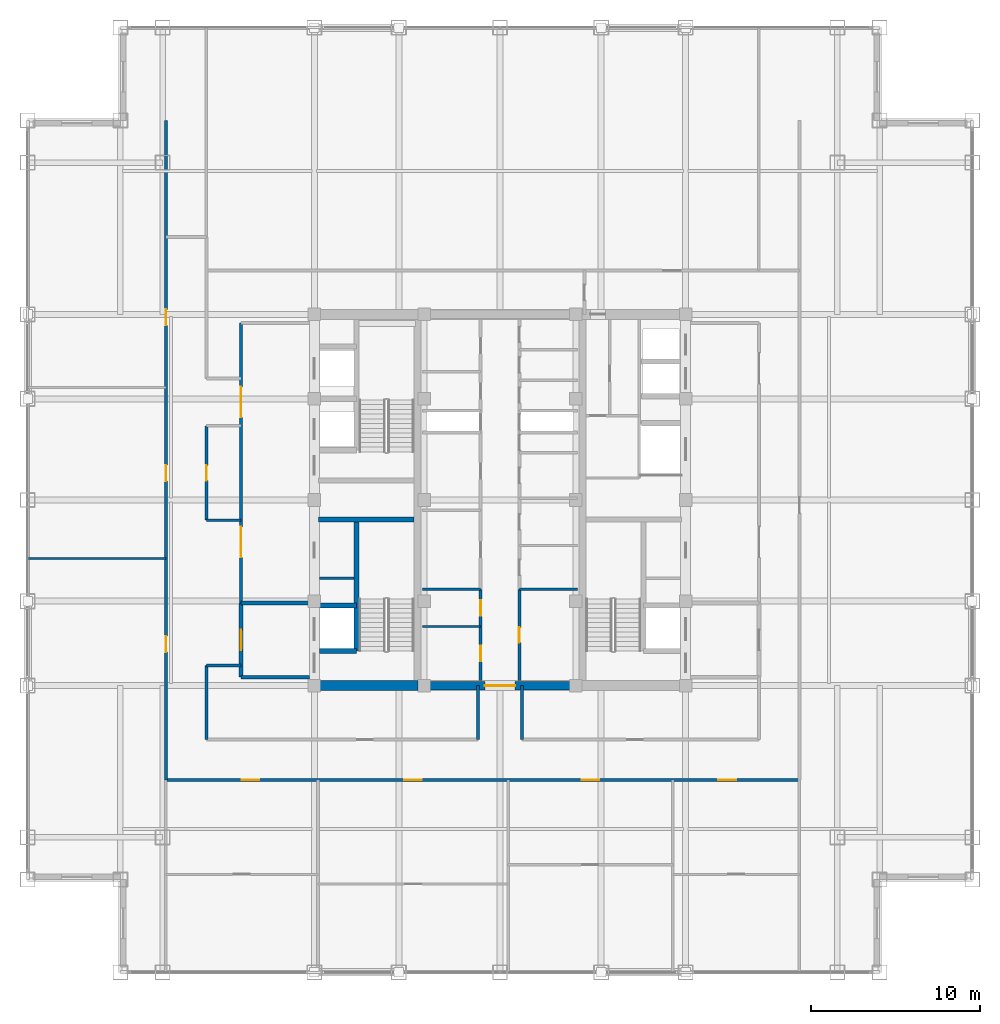
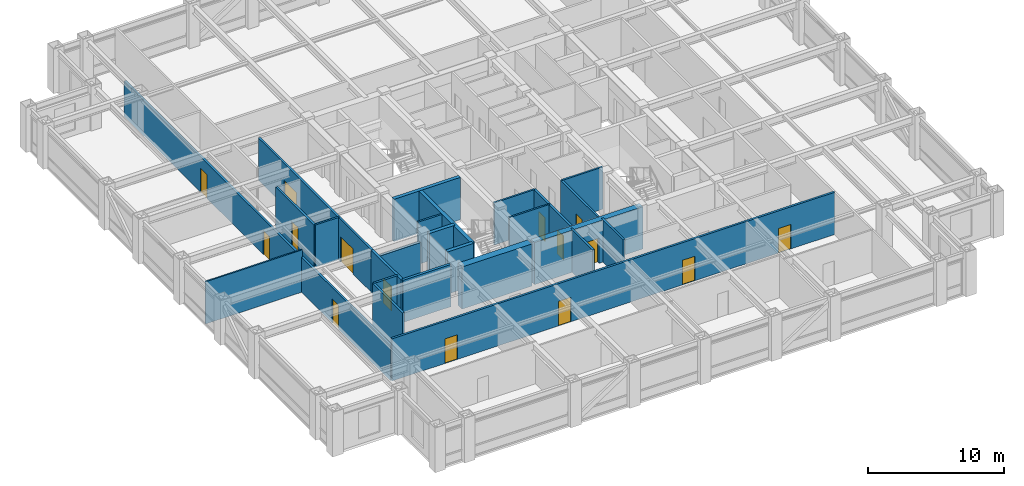
# One storey, part 18 of 22: 25 walls, 15 doors, 15 openings.
"""IFC4 building model written with IfcOpenShell, lengths in metres."""

from ifc_helpers import new_model, si_unit, direction, frame, frame_2d, origin, place, context, subcontext, project, spatial, rectangle, extrude, source, transform, mapped, material, layer, layer_set, type_object, element, fill, save


model = new_model("IFC4")

# Units and contexts
model_context = context("Model", 3, precision=1e-05, world=origin(), true_north=direction((0.0, 1.0)))
body_context = subcontext(model_context, "Body", "Model", "MODEL_VIEW")
ifc_project = project(units=[si_unit("LENGTHUNIT", "METRE"), si_unit("AREAUNIT", "SQUARE_METRE"), si_unit("VOLUMEUNIT", "CUBIC_METRE"), si_unit("PLANEANGLEUNIT", "RADIAN"), si_unit("MASSUNIT", "GRAM", prefix="KILO")], contexts=[model_context])

# Site, building, storey
site_placement = place(None, origin())
site = spatial("IfcSite", under=ifc_project, at=site_placement, CompositionType="ELEMENT")
building_placement = place(site_placement, origin())
building = spatial("IfcBuilding", under=site, at=building_placement, Name="Khorayat Bourse Tower", CompositionType="ELEMENT")
storey_placement = place(building_placement, frame((0.0, 0.0, 289.5)))
storey = spatial("IfcBuildingStorey", under=building, at=storey_placement, Name="L68", CompositionType="ELEMENT", Elevation=289.5)

# Walls
ifc_material_1 = material(Name="Concrete C60/75", Category="concrete")
ifc_layer_1 = layer(ifc_material_1, 0.60009765625)
ifc_layer_set_1 = layer_set([ifc_layer_1], Name="Concrete C60/75")
wall_type_1 = type_object("IfcWallType", Name="WAL-CORE-600", PredefinedType="SHEAR", material=ifc_layer_set_1)
shared_shape_1 = source(origin(), body_context, "Body", "SweptSolid", [
    extrude(rectangle(XDim=5.89990234375, YDim=0.60009765625, at=frame_2d((2.949951171875, 0.0))), origin(), (0.0, 0.0, 1.0), 3.780029296875),
])
wall_1_placement = place(storey_placement, frame((-10.75, -11.0, 0.0), z_axis=(0.0, 0.0, 1.0), x_axis=(1.0, 0.0, 0.0)))
element("IfcWall", 1, at=wall_1_placement, inside=storey, type_object=wall_type_1, Name="L68 Core Shear Wall PIER-WS", PredefinedType="SHEAR", context=body_context, shape_type="MappedRepresentation", body=[
    mapped(shared_shape_1, transform((0.0, 0.0, 0.0), scale=1.0)),
])
ifc_material_2 = material(Name="Concrete C50/60", Category="concrete")
ifc_layer_2 = layer(ifc_material_2, 0.300048828125)
ifc_layer_set_2 = layer_set([ifc_layer_2], Name="Concrete C50/60")
wall_type_2 = type_object("IfcWallType", Name="WAL-SHAFT-300", PredefinedType="SHEAR", material=ifc_layer_set_2)
shared_shape_2 = source(origin(), body_context, "Body", "SweptSolid", [
    extrude(rectangle(XDim=5.64990234375, YDim=0.300048828125, at=frame_2d((2.824951171875, 0.0))), origin(), (0.0, 0.0, 1.0), 3.780029296875),
])
wall_2_placement = place(storey_placement, frame((-10.75, -1.14990234375, 0.0), z_axis=(0.0, 0.0, 1.0), x_axis=(1.0, 0.0, 0.0)))
element("IfcWall", 2, at=wall_2_placement, inside=storey, type_object=wall_type_2, Name="L68 Core Shear Wall ST1-DIV", PredefinedType="SHEAR", context=body_context, shape_type="MappedRepresentation", body=[
    mapped(shared_shape_2, transform((0.0, 0.0, 0.0), scale=1.0)),
])

# Wall, opening, door
ifc_material_3 = material(Name="Concrete C52/65", Category="concrete")
ifc_layer_3 = layer(ifc_material_3, 0.5)
ifc_layer_set_3 = layer_set([ifc_layer_3], Name="Concrete C52/65")
wall_type_3 = type_object("IfcWallType", Name="WAL-CORE-500", PredefinedType="SHEAR", material=ifc_layer_set_3)
shared_shape_3 = source(origin(), body_context, "Body", "SweptSolid", [
    extrude(rectangle(XDim=9.2001953125, YDim=0.5, at=frame_2d((4.60009765625, 0.0))), origin(), (0.0, 0.0, 1.0), 3.780029296875),
])
wall_3_placement = place(storey_placement, frame((-4.60009765625, -11.0, 0.0), z_axis=(0.0, 0.0, 1.0), x_axis=(1.0, 0.0, 0.0)))
wall_3 = element("IfcWall", 3, at=wall_3_placement, inside=storey, type_object=wall_type_3, Name="L68 Core Shear Wall CORE-S", PredefinedType="SHEAR", context=body_context, shape_type="MappedRepresentation", body=[
    mapped(shared_shape_3, transform((0.0, 0.0, 0.0), scale=1.0)),
])
shared_shape_4 = source(origin(), body_context, "Body", "SweptSolid", [
    extrude(rectangle(XDim=1.800048828125, YDim=2.25, at=frame_2d((0.89990234375, 1.125))), frame((0.0, 0.260009765625, 0.0), z_axis=(0.0, -1.0, 0.0), x_axis=(1.0, 0.0, 0.0)), (0.0, 0.0, 1.0), 0.52001953125),
])
opening_1_placement = place(wall_3_placement, frame((3.699951171875, 0.0, 0.0)))
opening_1 = element("IfcOpeningElement", 4, at=opening_1_placement, cuts=wall_3, Name="Opening DI-03", PredefinedType="OPENING", context=body_context, shape_type="MappedRepresentation", body=[
    mapped(shared_shape_4, transform((0.0, 0.0, 0.0), scale=1.0)),
])
ifc_material_4 = material(Name="Fire-rated hardwood vision-panel double leaf", Category="wood")
door_type_1 = type_object("IfcDoorType", Name="DR-INT-CORR-1800", OperationType="NOTDEFINED", PredefinedType="DOOR", material=ifc_material_4)
shared_shape_5 = source(origin(), body_context, "Body", "SweptSolid", [
    extrude(rectangle(XDim=1.800048828125, YDim=2.25, at=frame_2d((0.89990234375, 1.125))), frame((0.0, 0.02490234375, 0.0), z_axis=(0.0, -1.0, 0.0), x_axis=(1.0, 0.0, 0.0)), (0.0, 0.0, 1.0), 0.050048828125),
])
door_1_placement = place(opening_1_placement, origin())
door_1 = element("IfcDoor", 5, at=door_1_placement, inside=storey, type_object=door_type_1, Name="L68 Central Core South Passage Door", OperationType="SINGLE_SWING_LEFT", OverallHeight=2.25, OverallWidth=1.800048828125, PredefinedType="DOOR", context=body_context, shape_type="MappedRepresentation", body=[
    mapped(shared_shape_5, transform((0.0, 0.0, 0.0), scale=1.0)),
])
fill(opening_1, door_1)

# Walls
ifc_material_5 = material(Name="Aerated concrete blockwork", Category="masonry")
ifc_layer_4 = layer(ifc_material_5, 0.219970703125)
ifc_layer_set_4 = layer_set([ifc_layer_4], Name="Aerated concrete blockwork")
wall_type_4 = type_object("IfcWallType", Name="WAL-PART-FF-220", PredefinedType="PARTITIONING", material=ifc_layer_set_4)
shared_shape_6 = source(origin(), body_context, "Body", "SweptSolid", [
    extrude(rectangle(XDim=4.050048828125, YDim=0.219970703125, at=frame_2d((2.02490234375, 0.0))), origin(), (0.0, 0.0, 1.0), 3.0849609375),
])
wall_4_placement = place(storey_placement, frame((-15.35009765625, -6.10009765625, 0.0), z_axis=(0.0, 0.0, 1.0), x_axis=(1.0, 0.0, 0.0)))
element("IfcWall", 6, at=wall_4_placement, inside=storey, type_object=wall_type_4, Name="L68 Partition WAL-L68-FFLW-N", PredefinedType="PARTITIONING", context=body_context, shape_type="MappedRepresentation", body=[
    mapped(shared_shape_6, transform((0.0, 0.0, 0.0), scale=1.0)),
])
shared_shape_7 = source(origin(), body_context, "Body", "SweptSolid", [
    extrude(rectangle(XDim=7.800048828125, YDim=0.300048828125, at=frame_2d((3.89990234375, 0.0))), origin(), (0.0, 0.0, 1.0), 3.780029296875),
])
wall_5_placement = place(storey_placement, frame((-8.5, -8.949951171875, 0.0), z_axis=(0.0, 0.0, 1.0), x_axis=(0.0, 1.0, 0.0)))
element("IfcWall", 7, at=wall_5_placement, inside=storey, type_object=wall_type_2, Name="L68 Partition WAL-L68-WPIER-SP", PredefinedType="SHEAR", context=body_context, shape_type="MappedRepresentation", body=[
    mapped(shared_shape_7, transform((0.0, 0.0, 0.0), scale=1.0)),
])
shared_shape_8 = source(origin(), body_context, "Body", "SweptSolid", [
    extrude(rectangle(XDim=2.199951171875, YDim=0.300048828125, at=frame_2d((1.10009765625, 0.0))), origin(), (0.0, 0.0, 1.0), 3.780029296875),
])
for number, where, z_axis, x_axis, name in (
    (8, (-10.699951171875, -8.949951171875, 0.0), (0.0, 0.0, 1.0), (1.0, 0.0, 0.0), "L68 Partition WAL-L68-WPIER-FF1S"),
    (9, (-10.699951171875, -6.25, 0.0), (0.0, 0.0, 1.0), (1.0, 0.0, 0.0), "L68 Partition WAL-L68-WPIER-FF1N"),
):
    element("IfcWall", number, at=place(storey_placement, frame(where, z_axis=z_axis, x_axis=x_axis)), inside=storey, type_object=wall_type_2, Name=name, PredefinedType="SHEAR", context=body_context, shape_type="MappedRepresentation", body=[
        mapped(shared_shape_8, transform((0.0, 0.0, 0.0), scale=1.0)),
    ])
ifc_material_6 = material(Name="Gypsum plasterboard twin-frame partition")
ifc_layer_5 = layer(ifc_material_6, 0.14990234375)
ifc_layer_set_5 = layer_set([ifc_layer_5], Name="Gypsum plasterboard twin-frame partition")
wall_type_5 = type_object("IfcWallType", Name="WAL-PART-SUITE-150", PredefinedType="PARTITIONING", material=ifc_layer_set_5)
shared_shape_9 = source(origin(), body_context, "Body", "SweptSolid", [
    extrude(rectangle(XDim=2.050048828125, YDim=0.14990234375, at=frame_2d((1.02490234375, 0.0))), origin(), (0.0, 0.0, 1.0), 3.780029296875),
])
wall_6_placement = place(storey_placement, frame((-10.699951171875, -4.64990234375, 0.0), z_axis=(0.0, 0.0, 1.0), x_axis=(1.0, 0.0, 0.0)))
element("IfcWall", 10, at=wall_6_placement, inside=storey, type_object=wall_type_5, Name="L68 Partition WAL-L68-WSRV-S0", PredefinedType="PARTITIONING", context=body_context, shape_type="MappedRepresentation", body=[
    mapped(shared_shape_9, transform((0.0, 0.0, 0.0), scale=1.0)),
])
shared_shape_10 = source(origin(), body_context, "Body", "SweptSolid", [
    extrude(rectangle(XDim=4.050048828125, YDim=0.219970703125, at=frame_2d((2.02490234375, 0.0))), origin(), (0.0, 0.0, 1.0), 3.780029296875),
])
wall_7_placement = place(storey_placement, frame((-15.35009765625, -10.5, 0.0), z_axis=(0.0, 0.0, 1.0), x_axis=(1.0, 0.0, 0.0)))
element("IfcWall", 11, at=wall_7_placement, inside=storey, type_object=wall_type_4, Name="L68 Partition WAL-L68-FFLW-S", PredefinedType="PARTITIONING", context=body_context, shape_type="MappedRepresentation", body=[
    mapped(shared_shape_10, transform((0.0, 0.0, 0.0), scale=1.0)),
])

# Wall, opening, door
shared_shape_11 = source(origin(), body_context, "Body", "SweptSolid", [
    extrude(rectangle(XDim=4.39990234375, YDim=0.219970703125, at=frame_2d((2.199951171875, 0.0))), origin(), (0.0, 0.0, 1.0), 3.780029296875),
])
wall_8_placement = place(storey_placement, frame((-15.35009765625, -10.5, 0.0), z_axis=(0.0, 0.0, 1.0), x_axis=(0.0, 1.0, 0.0)))
wall_8 = element("IfcWall", 12, at=wall_8_placement, inside=storey, type_object=wall_type_4, Name="L68 Partition WAL-L68-FFLW-W", PredefinedType="PARTITIONING", context=body_context, shape_type="MappedRepresentation", body=[
    mapped(shared_shape_11, transform((0.0, 0.0, 0.0), scale=1.0)),
])
shared_shape_12 = source(origin(), body_context, "Body", "SweptSolid", [
    extrude(rectangle(XDim=1.199951171875, YDim=2.199951171875, at=frame_2d((0.60009765625, 1.10009765625))), frame((0.0, 0.119873046875, 0.0), z_axis=(0.0, -1.0, 0.0), x_axis=(1.0, 0.0, 0.0)), (0.0, 0.0, 1.0), 0.239990234375),
])
opening_2_placement = place(wall_8_placement, frame((1.60009765625, 0.0, 0.0)))
opening_2 = element("IfcOpeningElement", 13, at=opening_2_placement, cuts=wall_8, Name="Opening DI-02", PredefinedType="OPENING", context=body_context, shape_type="MappedRepresentation", body=[
    mapped(shared_shape_12, transform((0.0, 0.0, 0.0), scale=1.0)),
])
ifc_material_7 = material(Name="Fire-rated steel double-seal leaf", Category="steel")
door_type_2 = type_object("IfcDoorType", Name="DR-INT-FFLOBBY-1200", OperationType="NOTDEFINED", PredefinedType="DOOR", material=ifc_material_7)
shared_shape_13 = source(origin(), body_context, "Body", "SweptSolid", [
    extrude(rectangle(XDim=1.199951171875, YDim=2.199951171875, at=frame_2d((0.60009765625, 1.10009765625))), frame((0.0, 0.02490234375, 0.0), z_axis=(0.0, -1.0, 0.0), x_axis=(1.0, 0.0, 0.0)), (0.0, 0.0, 1.0), 0.050048828125),
])
door_2_placement = place(opening_2_placement, origin())
door_2 = element("IfcDoor", 14, at=door_2_placement, inside=storey, type_object=door_type_2, Name="L68 West Firefighting Lobby Door", OperationType="SINGLE_SWING_LEFT", OverallHeight=2.199951171875, OverallWidth=1.199951171875, PredefinedType="DOOR", context=body_context, shape_type="MappedRepresentation", body=[
    mapped(shared_shape_13, transform((0.0, 0.0, 0.0), scale=1.0)),
])
fill(opening_2, door_2)

# Wall, openings, doors
ifc_material_8 = material(Name="Gypsum plasterboard acoustic stud wall")
ifc_layer_6 = layer(ifc_material_8, 0.179931640625)
ifc_layer_set_6 = layer_set([ifc_layer_6], Name="Gypsum plasterboard acoustic stud wall")
wall_type_6 = type_object("IfcWallType", Name="WAL-PART-CORR-180", PredefinedType="PARTITIONING", material=ifc_layer_set_6)
shared_shape_14 = source(origin(), body_context, "Body", "SweptSolid", [
    extrude(rectangle(XDim=16.60009765625, YDim=0.179931640625, at=frame_2d((8.300048828125, 0.0))), origin(), (0.0, 0.0, 1.0), 3.780029296875),
])
wall_9_placement = place(storey_placement, frame((-15.35009765625, -6.10009765625, 0.0), z_axis=(0.0, 0.0, 1.0), x_axis=(0.0, 1.0, 0.0)))
wall_9 = element("IfcWall", 15, at=wall_9_placement, inside=storey, type_object=wall_type_6, Name="L68 Partition WAL-L68-WLOB-W", PredefinedType="PARTITIONING", context=body_context, shape_type="MappedRepresentation", body=[
    mapped(shared_shape_14, transform((0.0, 0.0, 0.0), scale=1.0)),
])
shared_shape_15 = source(origin(), body_context, "Body", "SweptSolid", [
    extrude(rectangle(XDim=1.800048828125, YDim=2.25, at=frame_2d((0.89990234375, 1.125))), frame((0.0, 0.099853515625, 0.0), z_axis=(0.0, -1.0, 0.0), x_axis=(1.0, 0.0, 0.0)), (0.0, 0.0, 1.0), 0.199951171875),
])
opening_3_placement = place(wall_9_placement, frame((2.699951171875, 0.0, 0.0)))
opening_3 = element("IfcOpeningElement", 16, at=opening_3_placement, cuts=wall_9, Name="Opening DI-03", PredefinedType="OPENING", context=body_context, shape_type="MappedRepresentation", body=[
    mapped(shared_shape_15, transform((0.0, 0.0, 0.0), scale=1.0)),
])
opening_4_placement = place(wall_9_placement, frame((11.0, 0.0, 0.0)))
opening_4 = element("IfcOpeningElement", 17, at=opening_4_placement, cuts=wall_9, Name="Opening DI-03", PredefinedType="OPENING", context=body_context, shape_type="MappedRepresentation", body=[
    mapped(shared_shape_15, transform((0.0, 0.0, 0.0), scale=1.0)),
])
door_3_placement = place(opening_3_placement, origin())
door_3 = element("IfcDoor", 18, at=door_3_placement, inside=storey, type_object=door_type_1, Name="L68 West Core Lobby South Door", OperationType="SINGLE_SWING_LEFT", OverallHeight=2.25, OverallWidth=1.800048828125, PredefinedType="DOOR", context=body_context, shape_type="MappedRepresentation", body=[
    mapped(shared_shape_5, transform((0.0, 0.0, 0.0), scale=1.0)),
])
fill(opening_3, door_3)
door_4_placement = place(opening_4_placement, origin())
door_4 = element("IfcDoor", 19, at=door_4_placement, inside=storey, type_object=door_type_1, Name="L68 West Core Lobby North Door", OperationType="SINGLE_SWING_RIGHT", OverallHeight=2.25, OverallWidth=1.800048828125, PredefinedType="DOOR", context=body_context, shape_type="MappedRepresentation", body=[
    mapped(shared_shape_5, transform((0.0, 0.0, 0.0), scale=1.0)),
])
fill(opening_4, door_4)

# Walls
shared_shape_16 = source(origin(), body_context, "Body", "SweptSolid", [
    extrude(rectangle(XDim=3.4501953125, YDim=0.14990234375, at=frame_2d((1.72509765625, 0.0))), origin(), (0.0, 0.0, 1.0), 3.780029296875),
])
for number, where, z_axis, x_axis, name in (
    (20, (-4.60009765625, -5.300048828125, 0.0), (0.0, 0.0, 1.0), (1.0, 0.0, 0.0), "L68 Partition WAL-L68-FB1-NW"),
    (21, (1.14990234375, -5.300048828125, 0.0), (0.0, 0.0, 1.0), (1.0, 0.0, 0.0), "L68 Partition WAL-L68-FB1-NE"),
):
    element("IfcWall", number, at=place(storey_placement, frame(where, z_axis=z_axis, x_axis=x_axis)), inside=storey, type_object=wall_type_5, Name=name, PredefinedType="PARTITIONING", context=body_context, shape_type="MappedRepresentation", body=[
        mapped(shared_shape_16, transform((0.0, 0.0, 0.0), scale=1.0)),
    ])

# Wall, openings, doors
shared_shape_17 = source(origin(), body_context, "Body", "SweptSolid", [
    extrude(rectangle(XDim=5.39990234375, YDim=0.179931640625, at=frame_2d((2.699951171875, 0.0))), origin(), (0.0, 0.0, 1.0), 3.780029296875),
])
wall_10_placement = place(storey_placement, frame((-1.14990234375, -10.699951171875, 0.0), z_axis=(0.0, 0.0, 1.0), x_axis=(0.0, 1.0, 0.0)))
wall_10 = element("IfcWall", 22, at=wall_10_placement, inside=storey, type_object=wall_type_6, Name="L68 Partition WAL-L68-FB1W-L", PredefinedType="PARTITIONING", context=body_context, shape_type="MappedRepresentation", body=[
    mapped(shared_shape_17, transform((0.0, 0.0, 0.0), scale=1.0)),
])
shared_shape_18 = source(origin(), body_context, "Body", "SweptSolid", [
    extrude(rectangle(XDim=0.89990234375, YDim=2.14990234375, at=frame_2d((0.449951171875, 1.074951171875))), frame((0.0, 0.099853515625, 0.0), z_axis=(0.0, -1.0, 0.0), x_axis=(1.0, 0.0, 0.0)), (0.0, 0.0, 1.0), 0.199951171875),
])
opening_5_placement = place(wall_10_placement, frame((1.14990234375, 0.0, 0.0)))
opening_5 = element("IfcOpeningElement", 23, at=opening_5_placement, cuts=wall_10, Name="Opening DI-06", PredefinedType="OPENING", context=body_context, shape_type="MappedRepresentation", body=[
    mapped(shared_shape_18, transform((0.0, 0.0, 0.0), scale=1.0)),
])
opening_6_placement = place(wall_10_placement, frame((3.85009765625, 0.0, 0.0)))
opening_6 = element("IfcOpeningElement", 24, at=opening_6_placement, cuts=wall_10, Name="Opening DI-06", PredefinedType="OPENING", context=body_context, shape_type="MappedRepresentation", body=[
    mapped(shared_shape_18, transform((0.0, 0.0, 0.0), scale=1.0)),
])
ifc_material_9 = material(Name="Moisture-resistant laminate washroom door")
door_type_3 = type_object("IfcDoorType", Name="DR-INT-WC-900", OperationType="NOTDEFINED", PredefinedType="DOOR", material=ifc_material_9)
shared_shape_19 = source(origin(), body_context, "Body", "SweptSolid", [
    extrude(rectangle(XDim=0.89990234375, YDim=2.14990234375, at=frame_2d((0.449951171875, 1.074951171875))), frame((0.0, 0.02490234375, 0.0), z_axis=(0.0, -1.0, 0.0), x_axis=(1.0, 0.0, 0.0)), (0.0, 0.0, 1.0), 0.050048828125),
])
door_5_placement = place(opening_5_placement, origin())
door_5 = element("IfcDoor", 25, at=door_5_placement, inside=storey, type_object=door_type_3, Name="L68 Records Vault Store Door", OperationType="SINGLE_SWING_RIGHT", OverallHeight=2.14990234375, OverallWidth=0.89990234375, PredefinedType="DOOR", context=body_context, shape_type="MappedRepresentation", body=[
    mapped(shared_shape_19, transform((0.0, 0.0, 0.0), scale=1.0)),
])
fill(opening_5, door_5)
door_6_placement = place(opening_6_placement, origin())
door_6 = element("IfcDoor", 26, at=door_6_placement, inside=storey, type_object=door_type_3, Name="L68 Sprinkler Valve Plant Room Door", OperationType="SINGLE_SWING_LEFT", OverallHeight=2.14990234375, OverallWidth=0.89990234375, PredefinedType="DOOR", context=body_context, shape_type="MappedRepresentation", body=[
    mapped(shared_shape_19, transform((0.0, 0.0, 0.0), scale=1.0)),
])
fill(opening_6, door_6)

# Wall, opening, door
wall_11_placement = place(storey_placement, frame((1.14990234375, -10.699951171875, 0.0), z_axis=(0.0, 0.0, 1.0), x_axis=(0.0, 1.0, 0.0)))
wall_11 = element("IfcWall", 27, at=wall_11_placement, inside=storey, type_object=wall_type_6, Name="L68 Partition WAL-L68-FB1E-L", PredefinedType="PARTITIONING", context=body_context, shape_type="MappedRepresentation", body=[
    mapped(shared_shape_17, transform((0.0, 0.0, 0.0), scale=1.0)),
])
opening_7_placement = place(wall_11_placement, frame((2.25, 0.0, 0.0)))
opening_7 = element("IfcOpeningElement", 28, at=opening_7_placement, cuts=wall_11, Name="Opening DI-06", PredefinedType="OPENING", context=body_context, shape_type="MappedRepresentation", body=[
    mapped(shared_shape_18, transform((0.0, 0.0, 0.0), scale=1.0)),
])
door_7_placement = place(opening_7_placement, origin())
door_7 = element("IfcDoor", 29, at=door_7_placement, inside=storey, type_object=door_type_3, Name="L68 Telemetry Server Plant Room Door", OperationType="SINGLE_SWING_RIGHT", OverallHeight=2.14990234375, OverallWidth=0.89990234375, PredefinedType="DOOR", context=body_context, shape_type="MappedRepresentation", body=[
    mapped(shared_shape_19, transform((0.0, 0.0, 0.0), scale=1.0)),
])
fill(opening_7, door_7)

# Wall
ifc_material_10 = material(Name="Moisture-resistant masonry partition", Category="masonry")
ifc_layer_7 = layer(ifc_material_10, 0.139892578125)
ifc_layer_set_7 = layer_set([ifc_layer_7], Name="Moisture-resistant masonry partition")
wall_type_7 = type_object("IfcWallType", Name="WAL-PART-WET-140", PredefinedType="PARTITIONING", material=ifc_layer_set_7)
shared_shape_20 = source(origin(), body_context, "Body", "SweptSolid", [
    extrude(rectangle(XDim=3.4501953125, YDim=0.139892578125, at=frame_2d((1.72509765625, 0.0))), origin(), (0.0, 0.0, 1.0), 3.780029296875),
])
wall_12_placement = place(storey_placement, frame((-4.60009765625, -7.5, 0.0), z_axis=(0.0, 0.0, 1.0), x_axis=(1.0, 0.0, 0.0)))
element("IfcWall", 30, at=wall_12_placement, inside=storey, type_object=wall_type_7, Name="L68 Partition WAL-L68-FB1W-D1", PredefinedType="PARTITIONING", context=body_context, shape_type="MappedRepresentation", body=[
    mapped(shared_shape_20, transform((0.0, 0.0, 0.0), scale=1.0)),
])

# Wall, opening, door
shared_shape_21 = source(origin(), body_context, "Body", "SweptSolid", [
    extrude(rectangle(XDim=5.599853515625, YDim=0.179931640625, at=frame_2d((2.7998046875, 0.0))), origin(), (0.0, 0.0, 1.0), 3.780029296875),
])
wall_13_placement = place(storey_placement, frame((-17.39990234375, -1.199951171875, 0.0), z_axis=(0.0, 0.0, 1.0), x_axis=(0.0, 1.0, 0.0)))
wall_13 = element("IfcWall", 31, at=wall_13_placement, inside=storey, type_object=wall_type_6, Name="L68 Partition WAL-L68-PKWM-W", PredefinedType="PARTITIONING", context=body_context, shape_type="MappedRepresentation", body=[
    mapped(shared_shape_21, transform((0.0, 0.0, 0.0), scale=1.0)),
])
opening_8_placement = place(wall_13_placement, frame((2.35009765625, 0.0, 0.0)))
opening_8 = element("IfcOpeningElement", 32, at=opening_8_placement, cuts=wall_13, Name="Opening DI-06", PredefinedType="OPENING", context=body_context, shape_type="MappedRepresentation", body=[
    mapped(shared_shape_18, transform((0.0, 0.0, 0.0), scale=1.0)),
])
door_8_placement = place(opening_8_placement, origin())
door_8 = element("IfcDoor", 33, at=door_8_placement, inside=storey, type_object=door_type_3, Name="L68 West Inboard Focus Door", OperationType="SINGLE_SWING_LEFT", OverallHeight=2.14990234375, OverallWidth=0.89990234375, PredefinedType="DOOR", context=body_context, shape_type="MappedRepresentation", body=[
    mapped(shared_shape_19, transform((0.0, 0.0, 0.0), scale=1.0)),
])
fill(opening_8, door_8)

# Walls
shared_shape_22 = source(origin(), body_context, "Body", "SweptSolid", [
    extrude(rectangle(XDim=2.0498046875, YDim=0.14990234375, at=frame_2d((1.02490234375, 0.0))), origin(), (0.0, 0.0, 1.0), 3.780029296875),
])
wall_14_placement = place(storey_placement, frame((-17.39990234375, -1.199951171875, 0.0), z_axis=(0.0, 0.0, 1.0), x_axis=(1.0, 0.0, 0.0)))
element("IfcWall", 34, at=wall_14_placement, inside=storey, type_object=wall_type_5, Name="L68 Partition WAL-L68-PKWM-S", PredefinedType="PARTITIONING", context=body_context, shape_type="MappedRepresentation", body=[
    mapped(shared_shape_22, transform((0.0, 0.0, 0.0), scale=1.0)),
])
shared_shape_23 = source(origin(), body_context, "Body", "SweptSolid", [
    extrude(rectangle(XDim=2.0498046875, YDim=0.179931640625, at=frame_2d((1.02490234375, 0.0))), origin(), (0.0, 0.0, 1.0), 3.780029296875),
])
wall_15_placement = place(storey_placement, frame((-17.39990234375, -9.800048828125, 0.0), z_axis=(0.0, 0.0, 1.0), x_axis=(1.0, 0.0, 0.0)))
element("IfcWall", 35, at=wall_15_placement, inside=storey, type_object=wall_type_6, Name="L68 Partition WAL-L68-THRW-S", PredefinedType="PARTITIONING", context=body_context, shape_type="MappedRepresentation", body=[
    mapped(shared_shape_23, transform((0.0, 0.0, 0.0), scale=1.0)),
])

# Wall, openings, doors
shared_shape_24 = source(origin(), body_context, "Body", "SweptSolid", [
    extrude(rectangle(XDim=37.550048828125, YDim=0.179931640625, at=frame_2d((18.77490234375, 0.0))), origin(), (0.0, 0.0, 1.0), 3.780029296875),
])
wall_16_placement = place(storey_placement, frame((-19.800048828125, -16.60009765625, 0.0), z_axis=(0.0, 0.0, 1.0), x_axis=(1.0, 0.0, 0.0)))
wall_16 = element("IfcWall", 36, at=wall_16_placement, inside=storey, type_object=wall_type_6, Name="L68 Partition WAL-L68-SCORR", PredefinedType="PARTITIONING", context=body_context, shape_type="MappedRepresentation", body=[
    mapped(shared_shape_24, transform((0.0, 0.0, 0.0), scale=1.0)),
])
shared_shape_25 = source(origin(), body_context, "Body", "SweptSolid", [
    extrude(rectangle(XDim=1.050048828125, YDim=2.199951171875, at=frame_2d((0.52490234375, 1.10009765625))), frame((0.0, 0.099853515625, 0.0), z_axis=(0.0, -1.0, 0.0), x_axis=(1.0, 0.0, 0.0)), (0.0, 0.0, 1.0), 0.199951171875),
])
opening_9_placement = place(wall_16_placement, frame((4.48095703125, 0.0, 0.0)))
opening_9 = element("IfcOpeningElement", 37, at=opening_9_placement, cuts=wall_16, Name="Opening DI-04", PredefinedType="OPENING", context=body_context, shape_type="MappedRepresentation", body=[
    mapped(shared_shape_25, transform((0.0, 0.0, 0.0), scale=1.0)),
])
opening_10_placement = place(wall_16_placement, frame((14.119384765625, 0.0, 0.0)))
opening_10 = element("IfcOpeningElement", 38, at=opening_10_placement, cuts=wall_16, Name="Opening DI-04", PredefinedType="OPENING", context=body_context, shape_type="MappedRepresentation", body=[
    mapped(shared_shape_25, transform((0.0, 0.0, 0.0), scale=1.0)),
])
opening_11_placement = place(wall_16_placement, frame((24.633544921875, 0.0, 0.0)))
opening_11 = element("IfcOpeningElement", 39, at=opening_11_placement, cuts=wall_16, Name="Opening DI-04", PredefinedType="OPENING", context=body_context, shape_type="MappedRepresentation", body=[
    mapped(shared_shape_25, transform((0.0, 0.0, 0.0), scale=1.0)),
])
opening_12_placement = place(wall_16_placement, frame((32.7451171875, 0.0, 0.0)))
opening_12 = element("IfcOpeningElement", 40, at=opening_12_placement, cuts=wall_16, Name="Opening DI-04", PredefinedType="OPENING", context=body_context, shape_type="MappedRepresentation", body=[
    mapped(shared_shape_25, transform((0.0, 0.0, 0.0), scale=1.0)),
])
ifc_material_11 = material(Name="Fire-rated oak veneer suite entrance door")
door_type_4 = type_object("IfcDoorType", Name="DR-INT-SUITE-1050", OperationType="NOTDEFINED", PredefinedType="DOOR", material=ifc_material_11)
shared_shape_26 = source(origin(), body_context, "Body", "SweptSolid", [
    extrude(rectangle(XDim=1.050048828125, YDim=2.199951171875, at=frame_2d((0.52490234375, 1.10009765625))), frame((0.0, 0.02490234375, 0.0), z_axis=(0.0, -1.0, 0.0), x_axis=(1.0, 0.0, 0.0)), (0.0, 0.0, 1.0), 0.050048828125),
])
door_9_placement = place(opening_9_placement, origin())
door_9 = element("IfcDoor", 41, at=door_9_placement, inside=storey, type_object=door_type_4, Name="L68 Executive Boardroom S1 Door", OperationType="SINGLE_SWING_RIGHT", OverallHeight=2.199951171875, OverallWidth=1.050048828125, PredefinedType="DOOR", context=body_context, shape_type="MappedRepresentation", body=[
    mapped(shared_shape_26, transform((0.0, 0.0, 0.0), scale=1.0)),
])
fill(opening_9, door_9)
door_10_placement = place(opening_10_placement, origin())
door_10 = element("IfcDoor", 42, at=door_10_placement, inside=storey, type_object=door_type_4, Name="L68 Financial Training Classroom S2 Door", OperationType="SINGLE_SWING_LEFT", OverallHeight=2.199951171875, OverallWidth=1.050048828125, PredefinedType="DOOR", context=body_context, shape_type="MappedRepresentation", body=[
    mapped(shared_shape_26, transform((0.0, 0.0, 0.0), scale=1.0)),
])
fill(opening_10, door_10)
door_11_placement = place(opening_11_placement, origin())
door_11 = element("IfcDoor", 43, at=door_11_placement, inside=storey, type_object=door_type_4, Name="L68 Members Exchange Lounge S3 Door", OperationType="SINGLE_SWING_RIGHT", OverallHeight=2.199951171875, OverallWidth=1.050048828125, PredefinedType="DOOR", context=body_context, shape_type="MappedRepresentation", body=[
    mapped(shared_shape_26, transform((0.0, 0.0, 0.0), scale=1.0)),
])
fill(opening_11, door_11)
door_12_placement = place(opening_12_placement, origin())
door_12 = element("IfcDoor", 44, at=door_12_placement, inside=storey, type_object=door_type_4, Name="L68 Staff Tea Pantry S4 Door", OperationType="SINGLE_SWING_LEFT", OverallHeight=2.199951171875, OverallWidth=1.050048828125, PredefinedType="DOOR", context=body_context, shape_type="MappedRepresentation", body=[
    mapped(shared_shape_26, transform((0.0, 0.0, 0.0), scale=1.0)),
])
fill(opening_12, door_12)

# Walls
ifc_material_12 = material(Name="Gypsum plasterboard partition")
ifc_layer_8 = layer(ifc_material_12, 0.125)
ifc_layer_set_8 = layer_set([ifc_layer_8], Name="Gypsum plasterboard partition")
wall_type_8 = type_object("IfcWallType", Name="WAL-PART-ROOM-125", PredefinedType="PARTITIONING", material=ifc_layer_set_8)
shared_shape_27 = source(origin(), body_context, "Body", "SweptSolid", [
    extrude(rectangle(XDim=8.199951171875, YDim=0.125, at=frame_2d((4.10009765625, 0.0))), origin(), (0.0, 0.0, 1.0), 3.780029296875),
])
wall_17_placement = place(storey_placement, frame((-28.0, -3.471923828125, 0.0), z_axis=(0.0, 0.0, 1.0), x_axis=(1.0, 0.0, 0.0)))
element("IfcWall", 45, at=wall_17_placement, inside=storey, type_object=wall_type_8, Name="L68 Partition WAL-L68-WDV-1", PredefinedType="PARTITIONING", context=body_context, shape_type="MappedRepresentation", body=[
    mapped(shared_shape_27, transform((0.0, 0.0, 0.0), scale=1.0)),
])
shared_shape_28 = source(origin(), body_context, "Body", "SweptSolid", [
    extrude(rectangle(XDim=4.39990234375, YDim=0.179931640625, at=frame_2d((2.199951171875, 0.0))), origin(), (0.0, 0.0, 1.0), 3.780029296875),
])
wall_18_placement = place(storey_placement, frame((-17.39990234375, -14.199951171875, 0.0), z_axis=(0.0, 0.0, 1.0), x_axis=(0.0, 1.0, 0.0)))
element("IfcWall", 46, at=wall_18_placement, inside=storey, type_object=wall_type_6, Name="L68 Partition WAL-L68-PKSW-W", PredefinedType="PARTITIONING", context=body_context, shape_type="MappedRepresentation", body=[
    mapped(shared_shape_28, transform((0.0, 0.0, 0.0), scale=1.0)),
])
shared_shape_29 = source(origin(), body_context, "Body", "SweptSolid", [
    extrude(rectangle(XDim=3.199951171875, YDim=0.179931640625, at=frame_2d((1.60009765625, 0.0))), origin(), (0.0, 0.0, 1.0), 3.780029296875),
])
for number, where, z_axis, x_axis, name in (
    (47, (-1.300048828125, -14.199951171875, 0.0), (0.0, 0.0, 1.0), (0.0, 1.0, 0.0), "L68 Partition WAL-L68-PKSW-E"),
    (48, (1.300048828125, -14.199951171875, 0.0), (0.0, 0.0, 1.0), (0.0, 1.0, 0.0), "L68 Partition WAL-L68-PKSE-W"),
):
    element("IfcWall", number, at=place(storey_placement, frame(where, z_axis=z_axis, x_axis=x_axis)), inside=storey, type_object=wall_type_6, Name=name, PredefinedType="PARTITIONING", context=body_context, shape_type="MappedRepresentation", body=[
        mapped(shared_shape_29, transform((0.0, 0.0, 0.0), scale=1.0)),
    ])

# Wall, openings, doors
shared_shape_30 = source(origin(), body_context, "Body", "SweptSolid", [
    extrude(rectangle(XDim=39.10009765625, YDim=0.179931640625, at=frame_2d((19.550048828125, 0.0))), origin(), (0.0, 0.0, 1.0), 3.1640625),
])
wall_19_placement = place(storey_placement, frame((-19.800048828125, -16.60009765625, 0.0), z_axis=(0.0, 0.0, 1.0), x_axis=(0.0, 1.0, 0.0)))
wall_19 = element("IfcWall", 49, at=wall_19_placement, inside=storey, type_object=wall_type_6, Name="L68 Partition WAL-L68-WCORR", PredefinedType="PARTITIONING", context=body_context, shape_type="MappedRepresentation", body=[
    mapped(shared_shape_30, transform((0.0, 0.0, 0.0), scale=1.0)),
])
shared_shape_31 = source(origin(), body_context, "Body", "SweptSolid", [
    extrude(rectangle(XDim=0.949951171875, YDim=2.14990234375, at=frame_2d((0.47509765625, 1.074951171875))), frame((0.0, 0.099853515625, 0.0), z_axis=(0.0, -1.0, 0.0), x_axis=(1.0, 0.0, 0.0)), (0.0, 0.0, 1.0), 0.199951171875),
])
opening_13_placement = place(wall_19_placement, frame((7.589111328125, 0.0, 0.0)))
opening_13 = element("IfcOpeningElement", 50, at=opening_13_placement, cuts=wall_19, Name="Opening DI-05", PredefinedType="OPENING", context=body_context, shape_type="MappedRepresentation", body=[
    mapped(shared_shape_31, transform((0.0, 0.0, 0.0), scale=1.0)),
])
opening_14_placement = place(wall_19_placement, frame((17.718994140625, 0.0, 0.0)))
opening_14 = element("IfcOpeningElement", 51, at=opening_14_placement, cuts=wall_19, Name="Opening DI-05", PredefinedType="OPENING", context=body_context, shape_type="MappedRepresentation", body=[
    mapped(shared_shape_31, transform((0.0, 0.0, 0.0), scale=1.0)),
])
opening_15_placement = place(wall_19_placement, frame((26.955078125, 0.0, 0.0)))
opening_15 = element("IfcOpeningElement", 52, at=opening_15_placement, cuts=wall_19, Name="Opening DI-05", PredefinedType="OPENING", context=body_context, shape_type="MappedRepresentation", body=[
    mapped(shared_shape_31, transform((0.0, 0.0, 0.0), scale=1.0)),
])
ifc_material_13 = material(Name="Acoustic oak veneer office door")
door_type_5 = type_object("IfcDoorType", Name="DR-INT-OFFICE-950", OperationType="NOTDEFINED", PredefinedType="DOOR", material=ifc_material_13)
shared_shape_32 = source(origin(), body_context, "Body", "SweptSolid", [
    extrude(rectangle(XDim=0.949951171875, YDim=2.14990234375, at=frame_2d((0.47509765625, 1.074951171875))), frame((0.0, 0.02490234375, 0.0), z_axis=(0.0, -1.0, 0.0), x_axis=(1.0, 0.0, 0.0)), (0.0, 0.0, 1.0), 0.050048828125),
])
door_13_placement = place(opening_13_placement, origin())
door_13 = element("IfcDoor", 53, at=door_13_placement, inside=storey, type_object=door_type_5, Name="L68 Quantitative Research Study W1 Door", OperationType="SINGLE_SWING_RIGHT", OverallHeight=2.14990234375, OverallWidth=0.949951171875, PredefinedType="DOOR", context=body_context, shape_type="MappedRepresentation", body=[
    mapped(shared_shape_32, transform((0.0, 0.0, 0.0), scale=1.0)),
])
fill(opening_13, door_13)
door_14_placement = place(opening_14_placement, origin())
door_14 = element("IfcDoor", 54, at=door_14_placement, inside=storey, type_object=door_type_5, Name="L68 Executive Boardroom W2 Door", OperationType="SINGLE_SWING_LEFT", OverallHeight=2.14990234375, OverallWidth=0.949951171875, PredefinedType="DOOR", context=body_context, shape_type="MappedRepresentation", body=[
    mapped(shared_shape_32, transform((0.0, 0.0, 0.0), scale=1.0)),
])
fill(opening_14, door_14)
door_15_placement = place(opening_15_placement, origin())
door_15 = element("IfcDoor", 55, at=door_15_placement, inside=storey, type_object=door_type_5, Name="L68 Market Committee Conference Room W3 Door", OperationType="SINGLE_SWING_RIGHT", OverallHeight=2.14990234375, OverallWidth=0.949951171875, PredefinedType="DOOR", context=body_context, shape_type="MappedRepresentation", body=[
    mapped(shared_shape_32, transform((0.0, 0.0, 0.0), scale=1.0)),
])
fill(opening_15, door_15)

save(model, "model.ifc")
